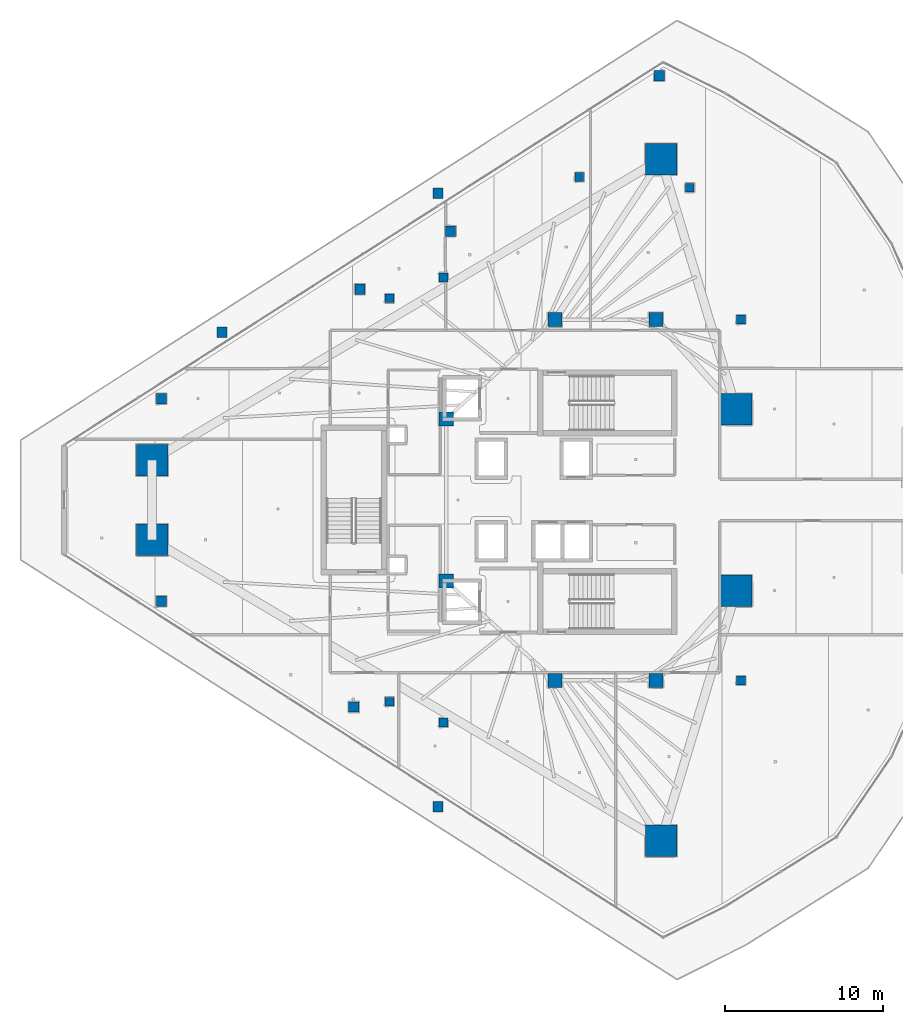
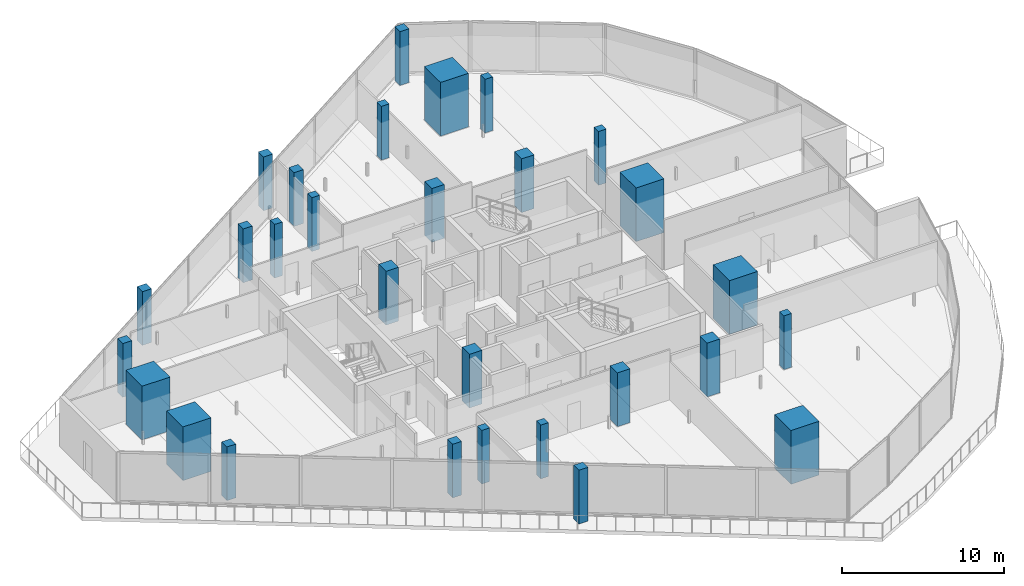
# One storey, part 1 of 36: 29 columns.
"""IFC4 building model written with IfcOpenShell, lengths in metres."""

from ifc_helpers import new_model, si_unit, direction, frame, origin, origin_2d, place, context, subcontext, project, spatial, rectangle, extrude, material, material_profile, profile_set, type_object, element, save


model = new_model("IFC4")

# Units and contexts
model_context = context("Model", 3, precision=1e-05, world=origin(), true_north=direction((0.0, 1.0)))
body_context = subcontext(model_context, "Body", "Model", "MODEL_VIEW")
ifc_project = project(units=[si_unit("LENGTHUNIT", "METRE"), si_unit("AREAUNIT", "SQUARE_METRE"), si_unit("VOLUMEUNIT", "CUBIC_METRE"), si_unit("PLANEANGLEUNIT", "RADIAN"), si_unit("MASSUNIT", "GRAM", prefix="KILO")], contexts=[model_context])

# Site, building, storey
site_placement = place(None, origin())
site = spatial("IfcSite", under=ifc_project, at=site_placement, CompositionType="ELEMENT")
building_placement = place(site_placement, origin())
building = spatial("IfcBuilding", under=site, at=building_placement, Name="Qorvath Tower", CompositionType="ELEMENT")
storey_placement = place(building_placement, frame((0.0, 0.0, 205.050048828125)))
storey = spatial("IfcBuildingStorey", under=building, at=storey_placement, Name="L47", CompositionType="ELEMENT", Elevation=205.050048828125)

# Columns
ifc_material_1 = material(Name="Concrete C60/75", Category="concrete")
ifc_material_profile_1 = material_profile(ifc_material_1, rectangle(XDim=2.0, YDim=2.0, at=origin_2d()), Name="MC 2000x2000")
ifc_profile_set_1 = profile_set([ifc_material_profile_1], Name="Concrete C60/75")
column_type_1 = type_object("IfcColumnType", Name="COL-MC3", PredefinedType="COLUMN", material=ifc_profile_set_1)
for number, where, z_axis, x_axis, name in (
    (1, (-49.171875, 2.52783203125, 0.0), (0.0, 0.0, 1.0), (1.0, 0.0, 0.0), "Composite Mega-Column MC1 L47"),
    (2, (-49.171875, -2.52783203125, 0.0), (0.0, 0.0, 1.0), (1.0, 0.0, 0.0), "Composite Mega-Column MC2 L47"),
    (3, (-16.87158203125, -21.627197265625, 0.0), (0.0, 0.0, 1.0), (1.0, 0.0, 0.0), "Composite Mega-Column MC3 L47"),
    (4, (-12.0966796875, -5.7578125, 0.0), (0.0, 0.0, 1.0), (1.0, 0.0, 0.0), "Composite Mega-Column MC4 L47"),
    (5, (-12.0966796875, 5.7578125, 0.0), (0.0, 0.0, 1.0), (1.0, 0.0, 0.0), "Composite Mega-Column MC5 L47"),
    (6, (-16.87158203125, 21.627197265625, 0.0), (0.0, 0.0, 1.0), (1.0, 0.0, 0.0), "Composite Mega-Column MC6 L47"),
):
    element("IfcColumn", number, at=place(storey_placement, frame(where, z_axis=z_axis, x_axis=x_axis)), inside=storey, type_object=column_type_1, Name=name, PredefinedType="COLUMN", context=body_context, shape_type="SweptSolid", body=[
        extrude(rectangle(XDim=2.0, YDim=2.0, at=origin_2d()), origin(), (0.0, 0.0, 1.0), 4.050048828125),
    ])
ifc_material_2 = material(Name="Concrete C50/60", Category="concrete")
ifc_material_profile_2 = material_profile(ifc_material_2, rectangle(XDim=0.89990234375, YDim=0.89990234375, at=origin_2d()), Name="RC 900x900")
ifc_profile_set_2 = profile_set([ifc_material_profile_2], Name="Concrete C50/60")
column_type_2 = type_object("IfcColumnType", Name="COL-RC3", PredefinedType="COLUMN", material=ifc_profile_set_2)
for number, where, z_axis, x_axis, name in (
    (7, (-23.60009765625, 11.449951171875, 0.0), (0.0, 0.0, 1.0), (1.0, 0.0, 0.0), "Core Spine Column CC1 L47"),
    (8, (-17.199951171875, 11.449951171875, 0.0), (0.0, 0.0, 1.0), (1.0, 0.0, 0.0), "Core Spine Column CC2 L47"),
    (9, (-17.199951171875, -11.449951171875, 0.0), (0.0, 0.0, 1.0), (1.0, 0.0, 0.0), "Core Spine Column CC3 L47"),
    (10, (-23.60009765625, -11.449951171875, 0.0), (0.0, 0.0, 1.0), (1.0, 0.0, 0.0), "Core Spine Column CC4 L47"),
    (11, (-30.5, 5.14990234375, 0.0), (0.0, 0.0, 1.0), (1.0, 0.0, 0.0), "Core Spine Column CC5 L47"),
    (12, (-30.5, -5.14990234375, 0.0), (0.0, 0.0, 1.0), (1.0, 0.0, 0.0), "Core Spine Column CC6 L47"),
):
    element("IfcColumn", number, at=place(storey_placement, frame(where, z_axis=z_axis, x_axis=x_axis)), inside=storey, type_object=column_type_2, Name=name, PredefinedType="COLUMN", context=body_context, shape_type="SweptSolid", body=[
        extrude(rectangle(XDim=0.89990234375, YDim=0.89990234375, at=origin_2d()), origin(), (0.0, 0.0, 1.0), 4.050048828125),
    ])
ifc_material_3 = material(Name="Concrete C45/55", Category="concrete")
ifc_material_profile_3 = material_profile(ifc_material_3, rectangle(XDim=0.64990234375, YDim=0.64990234375, at=origin_2d()), Name="RC 650x650")
ifc_profile_set_3 = profile_set([ifc_material_profile_3], Name="Concrete C45/55")
column_type_3 = type_object("IfcColumnType", Name="COL-RC6", PredefinedType="COLUMN", material=ifc_profile_set_3)
for number, where, z_axis, x_axis, name in (
    (13, (-31.01611328125, 19.46044921875, 0.0), (0.0, 0.0, 1.0), (1.0, 0.0, 0.0), "Loggia Frame Pier Column LGD1 L47"),
    (14, (-31.01611328125, -19.46044921875, 0.0), (0.0, 0.0, 1.0), (1.0, 0.0, 0.0), "Loggia Frame Pier Column LGD2 L47"),
    (15, (-44.736328125, 10.65234375, 0.0), (0.0, 0.0, 1.0), (1.0, 0.0, 0.0), "Loggia Frame Pier Column LGD3 L47"),
    (16, (-48.578369140625, 6.424560546875, 0.0), (0.0, 0.0, 1.0), (1.0, 0.0, 0.0), "Loggia Frame Pier Column LGE1 L47"),
    (17, (-48.578369140625, -6.424560546875, 0.0), (0.0, 0.0, 1.0), (1.0, 0.0, 0.0), "Loggia Frame Pier Column LGE2 L47"),
    (18, (-16.981201171875, 26.92919921875, 0.0), (0.0, 0.0, 1.0), (1.0, 0.0, 0.0), "Loggia Frame Pier Column LGE3 L47"),
    (19, (-35.980712890625, 13.380859375, 0.0), (0.0, 0.0, 1.0), (1.0, 0.0, 0.0), "Loggia Frame Pier Column LGF1 L47"),
    (20, (-36.36474609375, -13.135498046875, 0.0), (0.0, 0.0, 1.0), (1.0, 0.0, 0.0), "Loggia Frame Pier Column LGF2 L47"),
    (21, (-30.224853515625, 17.0595703125, 0.0), (0.0, 0.0, 1.0), (1.0, 0.0, 0.0), "Loggia Frame Pier Column LGF3 L47"),
):
    element("IfcColumn", number, at=place(storey_placement, frame(where, z_axis=z_axis, x_axis=x_axis)), inside=storey, type_object=column_type_3, Name=name, PredefinedType="COLUMN", context=body_context, shape_type="SweptSolid", body=[
        extrude(rectangle(XDim=0.64990234375, YDim=0.64990234375, at=origin_2d()), origin(), (0.0, 0.0, 1.0), 4.050048828125),
    ])
ifc_material_4 = material(Name="Concrete C45/55", Category="concrete")
ifc_material_profile_4 = material_profile(ifc_material_4, rectangle(XDim=0.550048828125, YDim=0.550048828125, at=origin_2d()), Name="RC 550x550")
ifc_profile_set_4 = profile_set([ifc_material_profile_4], Name="Concrete C45/55")
column_type_4 = type_object("IfcColumnType", Name="COL-RC7", PredefinedType="COLUMN", material=ifc_profile_set_4)
for number, where, z_axis, x_axis, name in (
    (22, (-34.104248046875, 12.79248046875, 0.0), (0.0, 0.0, 1.0), (1.0, 0.0, 0.0), "Loggia Frame Pier Column LGG1 L47"),
    (23, (-34.104248046875, -12.79248046875, 0.0), (0.0, 0.0, 1.0), (1.0, 0.0, 0.0), "Loggia Frame Pier Column LGG2 L47"),
    (24, (-22.05322265625, 20.494873046875, 0.0), (0.0, 0.0, 1.0), (1.0, 0.0, 0.0), "Loggia Frame Pier Column LGG3 L47"),
    (25, (-30.67724609375, 14.124267578125, 0.0), (0.0, 0.0, 1.0), (1.0, 0.0, 0.0), "Loggia Frame Pier Column LGH1 L47"),
    (26, (-30.67724609375, -14.124267578125, 0.0), (0.0, 0.0, 1.0), (1.0, 0.0, 0.0), "Loggia Frame Pier Column LGH2 L47"),
    (27, (-15.046142578125, 19.818115234375, 0.0), (0.0, 0.0, 1.0), (1.0, 0.0, 0.0), "Loggia Frame Pier Column LGH3 L47"),
    (28, (-11.800048828125, -11.449951171875, 0.0), (0.0, 0.0, 1.0), (1.0, 0.0, 0.0), "Central Slot Jamb Column SC1 L47"),
    (29, (-11.800048828125, 11.449951171875, 0.0), (0.0, 0.0, 1.0), (1.0, 0.0, 0.0), "Central Slot Jamb Column SC2 L47"),
):
    element("IfcColumn", number, at=place(storey_placement, frame(where, z_axis=z_axis, x_axis=x_axis)), inside=storey, type_object=column_type_4, Name=name, PredefinedType="COLUMN", context=body_context, shape_type="SweptSolid", body=[
        extrude(rectangle(XDim=0.550048828125, YDim=0.550048828125, at=origin_2d()), origin(), (0.0, 0.0, 1.0), 4.050048828125),
    ])

save(model, "model.ifc")
